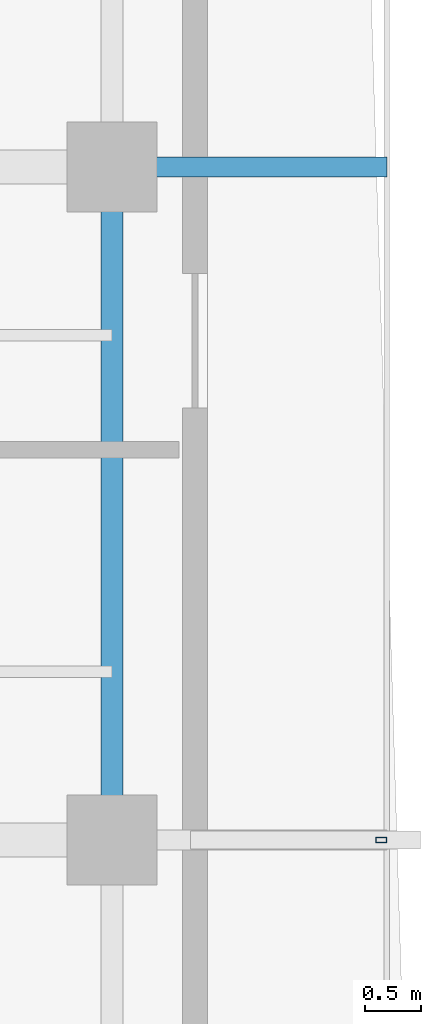
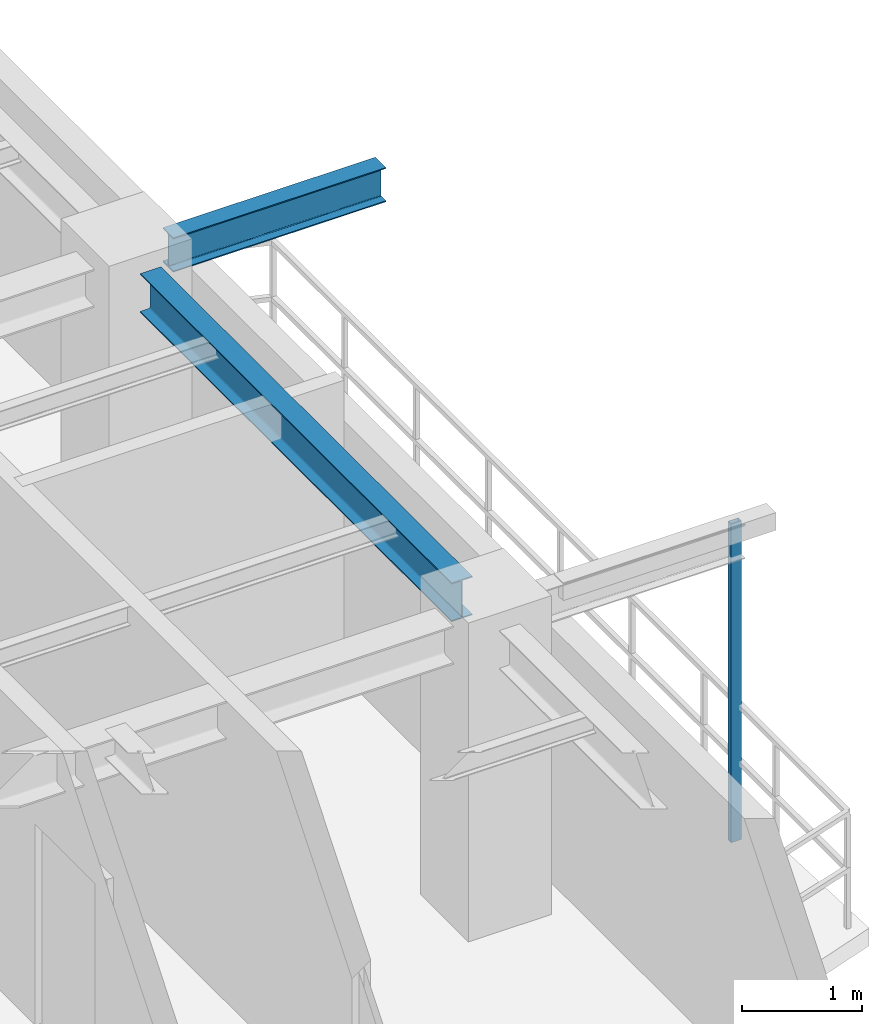
# One storey, part 6 of 15: 2 beams, 1 member.
"""IFC4 building model written with IfcOpenShell, lengths in metres."""

from ifc_helpers import new_model, si_unit, direction, frame, origin, origin_2d, place, context, subcontext, project, spatial, hollow_rectangle, i_section, extrude, source, transform, mapped, material, material_profile, profile_set, type_object, element, save


model = new_model("IFC4")

# Units and contexts
model_context = context("Model", 3, precision=1e-05, world=origin(), true_north=direction((0.0, 1.0)))
body_context = subcontext(model_context, "Body", "Model", "MODEL_VIEW")
ifc_project = project(units=[si_unit("LENGTHUNIT", "METRE"), si_unit("AREAUNIT", "SQUARE_METRE"), si_unit("VOLUMEUNIT", "CUBIC_METRE"), si_unit("PLANEANGLEUNIT", "RADIAN"), si_unit("MASSUNIT", "GRAM", prefix="KILO"), si_unit("THERMODYNAMICTEMPERATUREUNIT", "KELVIN"), si_unit("POWERUNIT", "WATT")], contexts=[model_context])

# Site, building, storey
site_placement = place(None, origin())
site = spatial("IfcSite", under=ifc_project, at=site_placement, CompositionType="ELEMENT")
building_placement = place(site_placement, origin())
building = spatial("IfcBuilding", under=site, at=building_placement, Name="Qiaomeng Ring Towers", CompositionType="ELEMENT")
storey_placement = place(building_placement, frame((0.0, 0.0, 193.75)))
storey = spatial("IfcBuildingStorey", under=building, at=storey_placement, Name="L56", CompositionType="ELEMENT", Elevation=193.75)

# Beams
ifc_material_1 = material(Name="Steel Q355B", Category="steel")
ifc_material_profile_1 = material_profile(ifc_material_1, i_section(OverallWidth=0.198974609375, OverallDepth=0.39599609375, WebThickness=0.007080078125, FlangeThickness=0.010986328125, FilletRadius=0.01611328125, at=origin_2d()), Name="HN 396x199x7x11")
ifc_profile_set_1 = profile_set([ifc_material_profile_1], Name="Steel Q355B")
beam_type_1 = type_object("IfcBeamType", Name="STR-BM-HN396", PredefinedType="SPANDREL", material=ifc_profile_set_1)
shared_shape_1 = source(origin(), body_context, "Body", "SweptSolid", [
    extrude(i_section(OverallWidth=0.198974609375, OverallDepth=0.39599609375, WebThickness=0.007080078125, FlangeThickness=0.010986328125, FilletRadius=0.01611328125, at=origin_2d()), origin(), (0.0, 0.0, 1.0), 5.2021484375),
])
beam_1_placement = place(storey_placement, frame((34.949951171875, 20.39892578125, 2.8720703125), z_axis=(0.0, 1.0, 0.0), x_axis=(-1.0, 0.0, 0.0)))
element("IfcBeam", 1, at=beam_1_placement, inside=storey, type_object=beam_type_1, Name="L56 beam STR-SP-L56-T1-E2-E3", PredefinedType="SPANDREL", context=body_context, shape_type="MappedRepresentation", body=[
    mapped(shared_shape_1, transform((0.0, 0.0, 0.0), x_axis=(1.0, 0.0, 0.0), y_axis=(0.0, 1.0, 0.0), z_axis=(0.0, 0.0, 1.0), scale=1.0)),
])
ifc_material_profile_2 = material_profile(ifc_material_1, i_section(OverallWidth=0.175048828125, OverallDepth=0.35009765625, WebThickness=0.007080078125, FlangeThickness=0.010986328125, FilletRadius=0.013916015625, at=origin_2d()), Name="HN 350x175x7x11")
ifc_profile_set_2 = profile_set([ifc_material_profile_2], Name="Steel Q355B")
beam_type_2 = type_object("IfcBeamType", Name="STR-BM-HN350", PredefinedType="JOIST", material=ifc_profile_set_2)
shared_shape_2 = source(origin(), body_context, "Body", "SweptSolid", [
    extrude(i_section(OverallWidth=0.175048828125, OverallDepth=0.35009765625, WebThickness=0.007080078125, FlangeThickness=0.010986328125, FilletRadius=0.013916015625, at=origin_2d()), origin(), (0.0, 0.0, 1.0), 2.05078125),
])
beam_2_placement = place(storey_placement, frame((35.34912109375, 26.0, 2.89501953125), z_axis=(1.0, 0.0, 0.0), x_axis=(0.0, 1.0, 0.0)))
element("IfcBeam", 2, at=beam_2_placement, inside=storey, type_object=beam_type_2, Name="L56 beam STR-BALBM-L56-E3", PredefinedType="JOIST", context=body_context, shape_type="MappedRepresentation", body=[
    mapped(shared_shape_2, transform((0.0, 0.0, 0.0), x_axis=(1.0, 0.0, 0.0), y_axis=(0.0, 1.0, 0.0), z_axis=(0.0, 0.0, 1.0), scale=1.0)),
])

# Member
ifc_material_2 = material(Name="Stainless steel 316", Category="steel")
ifc_material_profile_3 = material_profile(ifc_material_2, hollow_rectangle(XDim=0.050048828125, YDim=0.10009765625, WallThickness=0.00390625, at=origin_2d()), Name="SS TRELLIS 100x50")
ifc_profile_set_3 = profile_set([ifc_material_profile_3], Name="Stainless steel 316")
member_type = type_object("IfcMemberType", Name="ARC-TR-POST2", PredefinedType="STUD", material=ifc_profile_set_3)
shared_shape_3 = source(origin(), body_context, "Body", "SweptSolid", [
    extrude(hollow_rectangle(XDim=0.050048828125, YDim=0.10009765625, WallThickness=0.00390625, at=origin_2d()), origin(), (0.0, 0.0, 1.0), 3.25),
])
member_placement = place(storey_placement, frame((37.35009765625, 20.0, -0.179931640625), z_axis=(0.0, 0.0, 1.0), x_axis=(0.0, 1.0, 0.0)))
element("IfcMember", 3, at=member_placement, inside=storey, type_object=member_type, Name="L56 Outer Ventilated Trellis Post E", PredefinedType="STUD", context=body_context, shape_type="MappedRepresentation", body=[
    mapped(shared_shape_3, transform((0.0, 0.0, 0.0), x_axis=(1.0, 0.0, 0.0), y_axis=(0.0, 1.0, 0.0), z_axis=(0.0, 0.0, 1.0), scale=1.0)),
])

save(model, "model.ifc")
